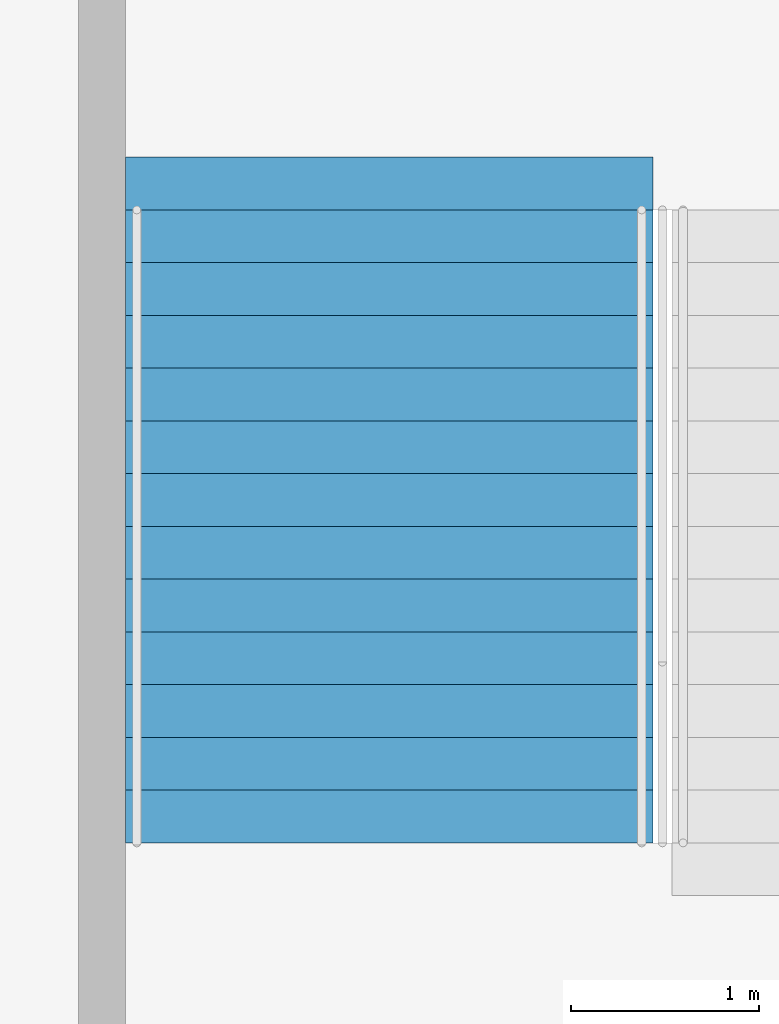
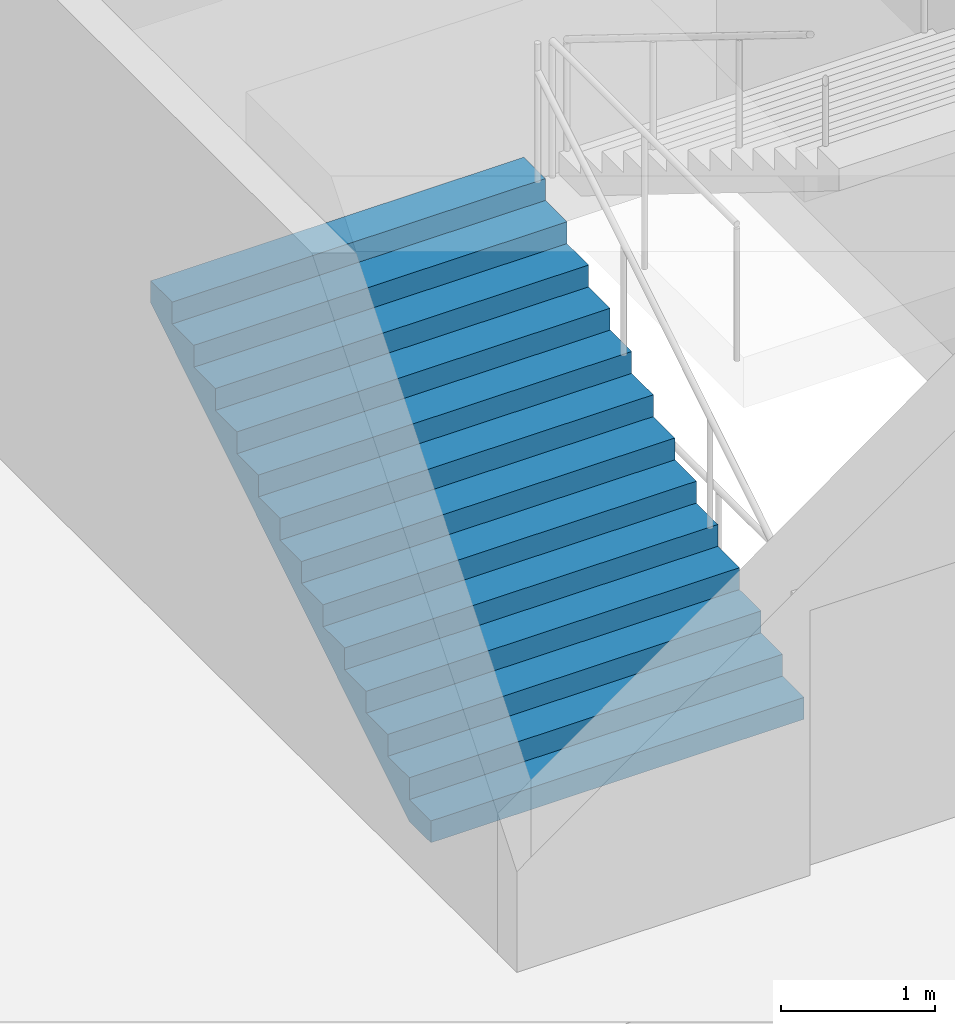
# One storey, part 211 of 249: 1 stair flight, 1 element without a shape of its own.
"""IFC4 building model written with IfcOpenShell, lengths in metres."""

from ifc_helpers import new_model, si_unit, direction, frame, origin, place, context, subcontext, project, spatial, faceted_brep, material, type_object, element, aggregate, save


model = new_model("IFC4")

# Units and contexts
model_context = context("Model", 3, precision=1e-05, world=origin(), true_north=direction((0.0, 1.0)))
body_context = subcontext(model_context, "Body", "Model", "MODEL_VIEW")
ifc_project = project(units=[si_unit("LENGTHUNIT", "METRE"), si_unit("AREAUNIT", "SQUARE_METRE"), si_unit("VOLUMEUNIT", "CUBIC_METRE"), si_unit("PLANEANGLEUNIT", "RADIAN"), si_unit("MASSUNIT", "GRAM", prefix="KILO")], contexts=[model_context])

# Site, building, storey
site_placement = place(None, origin())
site = spatial("IfcSite", under=ifc_project, at=site_placement, CompositionType="ELEMENT")
building_placement = place(site_placement, origin())
building = spatial("IfcBuilding", under=site, at=building_placement, Name="Ogive Plaza Stadium", CompositionType="ELEMENT")
storey_placement = place(building_placement, frame((0.0, 0.0, 13.5)))
storey = spatial("IfcBuildingStorey", under=building, at=storey_placement, Name="L03", CompositionType="ELEMENT", Elevation=13.5)

# Stair, stair flight
ifc_material_1 = material(Name="Concrete C40/50", Category="concrete")
stair_type = type_object("IfcStairType", Name="Exit stair", PredefinedType="STRAIGHT_RUN_STAIR", material=ifc_material_1)
stair_placement = place(storey_placement, origin())
stair = element("IfcStair", 1, at=stair_placement, inside=storey, type_object=stair_type, Name="Exit stair ST34B L03 to L04", PredefinedType="STRAIGHT_RUN_STAIR")
ifc_material_2 = material(Name="Concrete C40/50", Category="concrete")
stair_flight_type = type_object("IfcStairFlightType", Name="Exit stair flight", PredefinedType="STRAIGHT", material=ifc_material_2)
stair_flight_placement = place(storey_placement, frame((-11.22509765625, 94.85009765625, 0.0), z_axis=(0.0, 0.0, 1.0), x_axis=(0.0, 1.0, 0.0)))
stair_flight = element("IfcStairFlight", 2, at=stair_flight_placement, type_object=stair_flight_type, Name="ST34B flight 1", NumberOfRisers=13, NumberOfTreads=12, PredefinedType="STRAIGHT", RiserHeight=0.173076923, TreadLength=0.28, context=body_context, shape_type="Brep", body=[
    faceted_brep([(0.28515625, -1.39990234375, 0.0), (3.639892578125, -1.39990234375, 2.07373046875), (3.639892578125, -1.39990234375, 2.25), (3.360107421875, -1.39990234375, 2.25), (3.360107421875, -1.39990234375, 2.076904296875), (3.080078125, -1.39990234375, 2.076904296875), (3.080078125, -1.39990234375, 1.90380859375), (2.800048828125, -1.39990234375, 1.90380859375), (2.800048828125, -1.39990234375, 1.730712890625), (2.52001953125, -1.39990234375, 1.730712890625), (2.52001953125, -1.39990234375, 1.5576171875), (2.239990234375, -1.39990234375, 1.5576171875), (2.239990234375, -1.39990234375, 1.384521484375), (1.9599609375, -1.39990234375, 1.384521484375), (1.9599609375, -1.39990234375, 1.21142578125), (1.679931640625, -1.39990234375, 1.21142578125), (1.679931640625, -1.39990234375, 1.03857421875), (1.39990234375, -1.39990234375, 1.03857421875), (1.39990234375, -1.39990234375, 0.865478515625), (1.1201171875, -1.39990234375, 0.865478515625), (1.1201171875, -1.39990234375, 0.6923828125), (0.840087890625, -1.39990234375, 0.6923828125), (0.840087890625, -1.39990234375, 0.519287109375), (0.56005859375, -1.39990234375, 0.519287109375), (0.56005859375, -1.39990234375, 0.34619140625), (0.280029296875, -1.39990234375, 0.34619140625), (0.280029296875, -1.39990234375, 0.173095703125), (0.0, -1.39990234375, 0.173095703125), (0.0, -1.39990234375, 0.0), (0.0, 1.39990234375, 0.0), (0.0, 1.39990234375, 0.173095703125), (0.280029296875, 1.39990234375, 0.173095703125), (0.280029296875, 1.39990234375, 0.34619140625), (0.56005859375, 1.39990234375, 0.34619140625), (0.56005859375, 1.39990234375, 0.519287109375), (0.840087890625, 1.39990234375, 0.519287109375), (0.840087890625, 1.39990234375, 0.6923828125), (1.1201171875, 1.39990234375, 0.6923828125), (1.1201171875, 1.39990234375, 0.865478515625), (1.39990234375, 1.39990234375, 0.865478515625), (1.39990234375, 1.39990234375, 1.03857421875), (1.679931640625, 1.39990234375, 1.03857421875), (1.679931640625, 1.39990234375, 1.21142578125), (1.9599609375, 1.39990234375, 1.21142578125), (1.9599609375, 1.39990234375, 1.384521484375), (2.239990234375, 1.39990234375, 1.384521484375), (2.239990234375, 1.39990234375, 1.5576171875), (2.52001953125, 1.39990234375, 1.5576171875), (2.52001953125, 1.39990234375, 1.730712890625), (2.800048828125, 1.39990234375, 1.730712890625), (2.800048828125, 1.39990234375, 1.90380859375), (3.080078125, 1.39990234375, 1.90380859375), (3.080078125, 1.39990234375, 2.076904296875), (3.360107421875, 1.39990234375, 2.076904296875), (3.360107421875, 1.39990234375, 2.25), (3.639892578125, 1.39990234375, 2.25), (3.639892578125, 1.39990234375, 2.07373046875), (0.28515625, 1.39990234375, 0.0), (0.28515625, -1.0888671875, 0.0), (3.639892578125, -1.0888671875, 2.07373046875), (0.28515625, -0.77783203125, 0.0), (3.639892578125, -0.77783203125, 2.07373046875), (0.28515625, -0.466796875, 0.0), (3.639892578125, -0.466796875, 2.07373046875), (0.28515625, -0.155517578125, 0.0), (3.639892578125, -0.155517578125, 2.07373046875), (0.28515625, 0.155517578125, 0.0), (3.639892578125, 0.155517578125, 2.07373046875), (0.28515625, 0.466796875, 0.0), (3.639892578125, 0.466796875, 2.07373046875), (0.28515625, 0.77783203125, 0.0), (3.639892578125, 0.77783203125, 2.07373046875), (0.28515625, 1.0888671875, 0.0), (3.639892578125, 1.0888671875, 2.07373046875), (3.639892578125, -1.0888671875, 2.25), (3.639892578125, -0.77783203125, 2.25), (3.639892578125, -0.466796875, 2.25), (3.639892578125, -0.155517578125, 2.25), (3.639892578125, 0.155517578125, 2.25), (3.639892578125, 0.466796875, 2.25), (3.639892578125, 0.77783203125, 2.25), (3.639892578125, 1.0888671875, 2.25), (3.360107421875, -1.0888671875, 2.25), (3.360107421875, -0.77783203125, 2.25), (3.360107421875, -0.466796875, 2.25), (3.360107421875, -0.155517578125, 2.25), (3.360107421875, 0.155517578125, 2.25), (3.360107421875, 0.466796875, 2.25), (3.360107421875, 0.77783203125, 2.25), (3.360107421875, 1.0888671875, 2.25), (3.360107421875, -1.0888671875, 2.076904296875), (3.360107421875, -0.77783203125, 2.076904296875), (3.360107421875, -0.466796875, 2.076904296875), (3.360107421875, -0.155517578125, 2.076904296875), (3.360107421875, 0.155517578125, 2.076904296875), (3.360107421875, 0.466796875, 2.076904296875), (3.360107421875, 0.77783203125, 2.076904296875), (3.360107421875, 1.0888671875, 2.076904296875), (3.080078125, -1.0888671875, 2.076904296875), (3.080078125, -0.77783203125, 2.076904296875), (3.080078125, -0.466796875, 2.076904296875), (3.080078125, -0.155517578125, 2.076904296875), (3.080078125, 0.155517578125, 2.076904296875), (3.080078125, 0.466796875, 2.076904296875), (3.080078125, 0.77783203125, 2.076904296875), (3.080078125, 1.0888671875, 2.076904296875), (3.080078125, -1.0888671875, 1.90380859375), (3.080078125, -0.77783203125, 1.90380859375), (3.080078125, -0.466796875, 1.90380859375), (3.080078125, -0.155517578125, 1.90380859375), (3.080078125, 0.155517578125, 1.90380859375), (3.080078125, 0.466796875, 1.90380859375), (3.080078125, 0.77783203125, 1.90380859375), (3.080078125, 1.0888671875, 1.90380859375), (2.800048828125, -1.0888671875, 1.90380859375), (2.800048828125, -0.77783203125, 1.90380859375), (2.800048828125, -0.466796875, 1.90380859375), (2.800048828125, -0.155517578125, 1.90380859375), (2.800048828125, 0.155517578125, 1.90380859375), (2.800048828125, 0.466796875, 1.90380859375), (2.800048828125, 0.77783203125, 1.90380859375), (2.800048828125, 1.0888671875, 1.90380859375), (2.800048828125, -1.0888671875, 1.730712890625), (2.800048828125, -0.77783203125, 1.730712890625), (2.800048828125, -0.466796875, 1.730712890625), (2.800048828125, -0.155517578125, 1.730712890625), (2.800048828125, 0.155517578125, 1.730712890625), (2.800048828125, 0.466796875, 1.730712890625), (2.800048828125, 0.77783203125, 1.730712890625), (2.800048828125, 1.0888671875, 1.730712890625), (2.52001953125, -1.0888671875, 1.730712890625), (2.52001953125, -0.77783203125, 1.730712890625), (2.52001953125, -0.466796875, 1.730712890625), (2.52001953125, -0.155517578125, 1.730712890625), (2.52001953125, 0.155517578125, 1.730712890625), (2.52001953125, 0.466796875, 1.730712890625), (2.52001953125, 0.77783203125, 1.730712890625), (2.52001953125, 1.0888671875, 1.730712890625), (2.52001953125, -1.0888671875, 1.5576171875), (2.52001953125, -0.77783203125, 1.5576171875), (2.52001953125, -0.466796875, 1.5576171875), (2.52001953125, -0.155517578125, 1.5576171875), (2.52001953125, 0.155517578125, 1.5576171875), (2.52001953125, 0.466796875, 1.5576171875), (2.52001953125, 0.77783203125, 1.5576171875), (2.52001953125, 1.0888671875, 1.5576171875), (2.239990234375, -1.0888671875, 1.5576171875), (2.239990234375, -0.77783203125, 1.5576171875), (2.239990234375, -0.466796875, 1.5576171875), (2.239990234375, -0.155517578125, 1.5576171875), (2.239990234375, 0.155517578125, 1.5576171875), (2.239990234375, 0.466796875, 1.5576171875), (2.239990234375, 0.77783203125, 1.5576171875), (2.239990234375, 1.0888671875, 1.5576171875), (2.239990234375, -1.0888671875, 1.384521484375), (2.239990234375, -0.77783203125, 1.384521484375), (2.239990234375, -0.466796875, 1.384521484375), (2.239990234375, -0.155517578125, 1.384521484375), (2.239990234375, 0.155517578125, 1.384521484375), (2.239990234375, 0.466796875, 1.384521484375), (2.239990234375, 0.77783203125, 1.384521484375), (2.239990234375, 1.0888671875, 1.384521484375), (1.9599609375, -1.0888671875, 1.384521484375), (1.9599609375, -0.77783203125, 1.384521484375), (1.9599609375, -0.466796875, 1.384521484375), (1.9599609375, -0.155517578125, 1.384521484375), (1.9599609375, 0.155517578125, 1.384521484375), (1.9599609375, 0.466796875, 1.384521484375), (1.9599609375, 0.77783203125, 1.384521484375), (1.9599609375, 1.0888671875, 1.384521484375), (1.9599609375, -1.0888671875, 1.21142578125), (1.9599609375, -0.77783203125, 1.21142578125), (1.9599609375, -0.466796875, 1.21142578125), (1.9599609375, -0.155517578125, 1.21142578125), (1.9599609375, 0.155517578125, 1.21142578125), (1.9599609375, 0.466796875, 1.21142578125), (1.9599609375, 0.77783203125, 1.21142578125), (1.9599609375, 1.0888671875, 1.21142578125), (1.679931640625, -1.0888671875, 1.21142578125), (1.679931640625, -0.77783203125, 1.21142578125), (1.679931640625, -0.466796875, 1.21142578125), (1.679931640625, -0.155517578125, 1.21142578125), (1.679931640625, 0.155517578125, 1.21142578125), (1.679931640625, 0.466796875, 1.21142578125), (1.679931640625, 0.77783203125, 1.21142578125), (1.679931640625, 1.0888671875, 1.21142578125), (1.679931640625, -1.0888671875, 1.03857421875), (1.679931640625, -0.77783203125, 1.03857421875), (1.679931640625, -0.466796875, 1.03857421875), (1.679931640625, -0.155517578125, 1.03857421875), (1.679931640625, 0.155517578125, 1.03857421875), (1.679931640625, 0.466796875, 1.03857421875), (1.679931640625, 0.77783203125, 1.03857421875), (1.679931640625, 1.0888671875, 1.03857421875), (1.39990234375, -1.0888671875, 1.03857421875), (1.39990234375, -0.77783203125, 1.03857421875), (1.39990234375, -0.466796875, 1.03857421875), (1.39990234375, -0.155517578125, 1.03857421875), (1.39990234375, 0.155517578125, 1.03857421875), (1.39990234375, 0.466796875, 1.03857421875), (1.39990234375, 0.77783203125, 1.03857421875), (1.39990234375, 1.0888671875, 1.03857421875), (1.39990234375, -1.0888671875, 0.865478515625), (1.39990234375, -0.77783203125, 0.865478515625), (1.39990234375, -0.466796875, 0.865478515625), (1.39990234375, -0.155517578125, 0.865478515625), (1.39990234375, 0.155517578125, 0.865478515625), (1.39990234375, 0.466796875, 0.865478515625), (1.39990234375, 0.77783203125, 0.865478515625), (1.39990234375, 1.0888671875, 0.865478515625), (1.1201171875, -1.0888671875, 0.865478515625), (1.1201171875, -0.77783203125, 0.865478515625), (1.1201171875, -0.466796875, 0.865478515625), (1.1201171875, -0.155517578125, 0.865478515625), (1.1201171875, 0.155517578125, 0.865478515625), (1.1201171875, 0.466796875, 0.865478515625), (1.1201171875, 0.77783203125, 0.865478515625), (1.1201171875, 1.0888671875, 0.865478515625), (1.1201171875, -1.0888671875, 0.6923828125), (1.1201171875, -0.77783203125, 0.6923828125), (1.1201171875, -0.466796875, 0.6923828125), (1.1201171875, -0.155517578125, 0.6923828125), (1.1201171875, 0.155517578125, 0.6923828125), (1.1201171875, 0.466796875, 0.6923828125), (1.1201171875, 0.77783203125, 0.6923828125), (1.1201171875, 1.0888671875, 0.6923828125), (0.840087890625, -1.0888671875, 0.6923828125), (0.840087890625, -0.77783203125, 0.6923828125), (0.840087890625, -0.466796875, 0.6923828125), (0.840087890625, -0.155517578125, 0.6923828125), (0.840087890625, 0.155517578125, 0.6923828125), (0.840087890625, 0.466796875, 0.6923828125), (0.840087890625, 0.77783203125, 0.6923828125), (0.840087890625, 1.0888671875, 0.6923828125), (0.840087890625, -1.0888671875, 0.519287109375), (0.840087890625, -0.77783203125, 0.519287109375), (0.840087890625, -0.466796875, 0.519287109375), (0.840087890625, -0.155517578125, 0.519287109375), (0.840087890625, 0.155517578125, 0.519287109375), (0.840087890625, 0.466796875, 0.519287109375), (0.840087890625, 0.77783203125, 0.519287109375), (0.840087890625, 1.0888671875, 0.519287109375), (0.56005859375, -1.0888671875, 0.519287109375), (0.56005859375, -0.77783203125, 0.519287109375), (0.56005859375, -0.466796875, 0.519287109375), (0.56005859375, -0.155517578125, 0.519287109375), (0.56005859375, 0.155517578125, 0.519287109375), (0.56005859375, 0.466796875, 0.519287109375), (0.56005859375, 0.77783203125, 0.519287109375), (0.56005859375, 1.0888671875, 0.519287109375), (0.56005859375, -1.0888671875, 0.34619140625), (0.56005859375, -0.77783203125, 0.34619140625), (0.56005859375, -0.466796875, 0.34619140625), (0.56005859375, -0.155517578125, 0.34619140625), (0.56005859375, 0.155517578125, 0.34619140625), (0.56005859375, 0.466796875, 0.34619140625), (0.56005859375, 0.77783203125, 0.34619140625), (0.56005859375, 1.0888671875, 0.34619140625), (0.280029296875, -1.0888671875, 0.34619140625), (0.280029296875, -0.77783203125, 0.34619140625), (0.280029296875, -0.466796875, 0.34619140625), (0.280029296875, -0.155517578125, 0.34619140625), (0.280029296875, 0.155517578125, 0.34619140625), (0.280029296875, 0.466796875, 0.34619140625), (0.280029296875, 0.77783203125, 0.34619140625), (0.280029296875, 1.0888671875, 0.34619140625), (0.280029296875, -1.0888671875, 0.173095703125), (0.280029296875, -0.77783203125, 0.173095703125), (0.280029296875, -0.466796875, 0.173095703125), (0.280029296875, -0.155517578125, 0.173095703125), (0.280029296875, 0.155517578125, 0.173095703125), (0.280029296875, 0.466796875, 0.173095703125), (0.280029296875, 0.77783203125, 0.173095703125), (0.280029296875, 1.0888671875, 0.173095703125), (0.0, -1.0888671875, 0.173095703125), (0.0, -0.77783203125, 0.173095703125), (0.0, -0.466796875, 0.173095703125), (0.0, -0.155517578125, 0.173095703125), (0.0, 0.155517578125, 0.173095703125), (0.0, 0.466796875, 0.173095703125), (0.0, 0.77783203125, 0.173095703125), (0.0, 1.0888671875, 0.173095703125), (0.0, -1.0888671875, 0.0), (0.0, -0.77783203125, 0.0), (0.0, -0.466796875, 0.0), (0.0, -0.155517578125, 0.0), (0.0, 0.155517578125, 0.0), (0.0, 0.466796875, 0.0), (0.0, 0.77783203125, 0.0), (0.0, 1.0888671875, 0.0)], [[[0, 1, 2, 3, 4, 5, 6, 7, 8, 9, 10, 11, 12, 13, 14, 15, 16, 17, 18, 19, 20, 21, 22, 23, 24, 25, 26, 27, 28]], [[29, 30, 31, 32, 33, 34, 35, 36, 37, 38, 39, 40, 41, 42, 43, 44, 45, 46, 47, 48, 49, 50, 51, 52, 53, 54, 55, 56, 57]], [[0, 58, 59, 1]], [[58, 60, 61, 59]], [[60, 62, 63, 61]], [[62, 64, 65, 63]], [[64, 66, 67, 65]], [[66, 68, 69, 67]], [[68, 70, 71, 69]], [[70, 72, 73, 71]], [[72, 57, 56, 73]], [[1, 59, 74, 2]], [[59, 61, 75, 74]], [[61, 63, 76, 75]], [[63, 65, 77, 76]], [[65, 67, 78, 77]], [[67, 69, 79, 78]], [[69, 71, 80, 79]], [[71, 73, 81, 80]], [[73, 56, 55, 81]], [[2, 74, 82, 3]], [[74, 75, 83, 82]], [[75, 76, 84, 83]], [[76, 77, 85, 84]], [[77, 78, 86, 85]], [[78, 79, 87, 86]], [[79, 80, 88, 87]], [[80, 81, 89, 88]], [[81, 55, 54, 89]], [[3, 82, 90, 4]], [[82, 83, 91, 90]], [[83, 84, 92, 91]], [[84, 85, 93, 92]], [[85, 86, 94, 93]], [[86, 87, 95, 94]], [[87, 88, 96, 95]], [[88, 89, 97, 96]], [[89, 54, 53, 97]], [[4, 90, 98, 5]], [[90, 91, 99, 98]], [[91, 92, 100, 99]], [[92, 93, 101, 100]], [[93, 94, 102, 101]], [[94, 95, 103, 102]], [[95, 96, 104, 103]], [[96, 97, 105, 104]], [[97, 53, 52, 105]], [[5, 98, 106, 6]], [[98, 99, 107, 106]], [[99, 100, 108, 107]], [[100, 101, 109, 108]], [[101, 102, 110, 109]], [[102, 103, 111, 110]], [[103, 104, 112, 111]], [[104, 105, 113, 112]], [[105, 52, 51, 113]], [[6, 106, 114, 7]], [[106, 107, 115, 114]], [[107, 108, 116, 115]], [[108, 109, 117, 116]], [[109, 110, 118, 117]], [[110, 111, 119, 118]], [[111, 112, 120, 119]], [[112, 113, 121, 120]], [[113, 51, 50, 121]], [[7, 114, 122, 8]], [[114, 115, 123, 122]], [[115, 116, 124, 123]], [[116, 117, 125, 124]], [[117, 118, 126, 125]], [[118, 119, 127, 126]], [[119, 120, 128, 127]], [[120, 121, 129, 128]], [[121, 50, 49, 129]], [[8, 122, 130, 9]], [[122, 123, 131, 130]], [[123, 124, 132, 131]], [[124, 125, 133, 132]], [[125, 126, 134, 133]], [[126, 127, 135, 134]], [[127, 128, 136, 135]], [[128, 129, 137, 136]], [[129, 49, 48, 137]], [[9, 130, 138, 10]], [[130, 131, 139, 138]], [[131, 132, 140, 139]], [[132, 133, 141, 140]], [[133, 134, 142, 141]], [[134, 135, 143, 142]], [[135, 136, 144, 143]], [[136, 137, 145, 144]], [[137, 48, 47, 145]], [[10, 138, 146, 11]], [[138, 139, 147, 146]], [[139, 140, 148, 147]], [[140, 141, 149, 148]], [[141, 142, 150, 149]], [[142, 143, 151, 150]], [[143, 144, 152, 151]], [[144, 145, 153, 152]], [[145, 47, 46, 153]], [[11, 146, 154, 12]], [[146, 147, 155, 154]], [[147, 148, 156, 155]], [[148, 149, 157, 156]], [[149, 150, 158, 157]], [[150, 151, 159, 158]], [[151, 152, 160, 159]], [[152, 153, 161, 160]], [[153, 46, 45, 161]], [[12, 154, 162, 13]], [[154, 155, 163, 162]], [[155, 156, 164, 163]], [[156, 157, 165, 164]], [[157, 158, 166, 165]], [[158, 159, 167, 166]], [[159, 160, 168, 167]], [[160, 161, 169, 168]], [[161, 45, 44, 169]], [[13, 162, 170, 14]], [[162, 163, 171, 170]], [[163, 164, 172, 171]], [[164, 165, 173, 172]], [[165, 166, 174, 173]], [[166, 167, 175, 174]], [[167, 168, 176, 175]], [[168, 169, 177, 176]], [[169, 44, 43, 177]], [[14, 170, 178, 15]], [[170, 171, 179, 178]], [[171, 172, 180, 179]], [[172, 173, 181, 180]], [[173, 174, 182, 181]], [[174, 175, 183, 182]], [[175, 176, 184, 183]], [[176, 177, 185, 184]], [[177, 43, 42, 185]], [[15, 178, 186, 16]], [[178, 179, 187, 186]], [[179, 180, 188, 187]], [[180, 181, 189, 188]], [[181, 182, 190, 189]], [[182, 183, 191, 190]], [[183, 184, 192, 191]], [[184, 185, 193, 192]], [[185, 42, 41, 193]], [[16, 186, 194, 17]], [[186, 187, 195, 194]], [[187, 188, 196, 195]], [[188, 189, 197, 196]], [[189, 190, 198, 197]], [[190, 191, 199, 198]], [[191, 192, 200, 199]], [[192, 193, 201, 200]], [[193, 41, 40, 201]], [[17, 194, 202, 18]], [[194, 195, 203, 202]], [[195, 196, 204, 203]], [[196, 197, 205, 204]], [[197, 198, 206, 205]], [[198, 199, 207, 206]], [[199, 200, 208, 207]], [[200, 201, 209, 208]], [[201, 40, 39, 209]], [[18, 202, 210, 19]], [[202, 203, 211, 210]], [[203, 204, 212, 211]], [[204, 205, 213, 212]], [[205, 206, 214, 213]], [[206, 207, 215, 214]], [[207, 208, 216, 215]], [[208, 209, 217, 216]], [[209, 39, 38, 217]], [[19, 210, 218, 20]], [[210, 211, 219, 218]], [[211, 212, 220, 219]], [[212, 213, 221, 220]], [[213, 214, 222, 221]], [[214, 215, 223, 222]], [[215, 216, 224, 223]], [[216, 217, 225, 224]], [[217, 38, 37, 225]], [[20, 218, 226, 21]], [[218, 219, 227, 226]], [[219, 220, 228, 227]], [[220, 221, 229, 228]], [[221, 222, 230, 229]], [[222, 223, 231, 230]], [[223, 224, 232, 231]], [[224, 225, 233, 232]], [[225, 37, 36, 233]], [[21, 226, 234, 22]], [[226, 227, 235, 234]], [[227, 228, 236, 235]], [[228, 229, 237, 236]], [[229, 230, 238, 237]], [[230, 231, 239, 238]], [[231, 232, 240, 239]], [[232, 233, 241, 240]], [[233, 36, 35, 241]], [[22, 234, 242, 23]], [[234, 235, 243, 242]], [[235, 236, 244, 243]], [[236, 237, 245, 244]], [[237, 238, 246, 245]], [[238, 239, 247, 246]], [[239, 240, 248, 247]], [[240, 241, 249, 248]], [[241, 35, 34, 249]], [[23, 242, 250, 24]], [[242, 243, 251, 250]], [[243, 244, 252, 251]], [[244, 245, 253, 252]], [[245, 246, 254, 253]], [[246, 247, 255, 254]], [[247, 248, 256, 255]], [[248, 249, 257, 256]], [[249, 34, 33, 257]], [[24, 250, 258, 25]], [[250, 251, 259, 258]], [[251, 252, 260, 259]], [[252, 253, 261, 260]], [[253, 254, 262, 261]], [[254, 255, 263, 262]], [[255, 256, 264, 263]], [[256, 257, 265, 264]], [[257, 33, 32, 265]], [[25, 258, 266, 26]], [[258, 259, 267, 266]], [[259, 260, 268, 267]], [[260, 261, 269, 268]], [[261, 262, 270, 269]], [[262, 263, 271, 270]], [[263, 264, 272, 271]], [[264, 265, 273, 272]], [[265, 32, 31, 273]], [[26, 266, 274, 27]], [[266, 267, 275, 274]], [[267, 268, 276, 275]], [[268, 269, 277, 276]], [[269, 270, 278, 277]], [[270, 271, 279, 278]], [[271, 272, 280, 279]], [[272, 273, 281, 280]], [[273, 31, 30, 281]], [[27, 274, 282, 28]], [[274, 275, 283, 282]], [[275, 276, 284, 283]], [[276, 277, 285, 284]], [[277, 278, 286, 285]], [[278, 279, 287, 286]], [[279, 280, 288, 287]], [[280, 281, 289, 288]], [[281, 30, 29, 289]], [[28, 282, 58, 0]], [[282, 283, 60, 58]], [[283, 284, 62, 60]], [[284, 285, 64, 62]], [[285, 286, 66, 64]], [[286, 287, 68, 66]], [[287, 288, 70, 68]], [[288, 289, 72, 70]], [[289, 29, 57, 72]]]),
])
aggregate(stair, [stair_flight])

save(model, "model.ifc")
